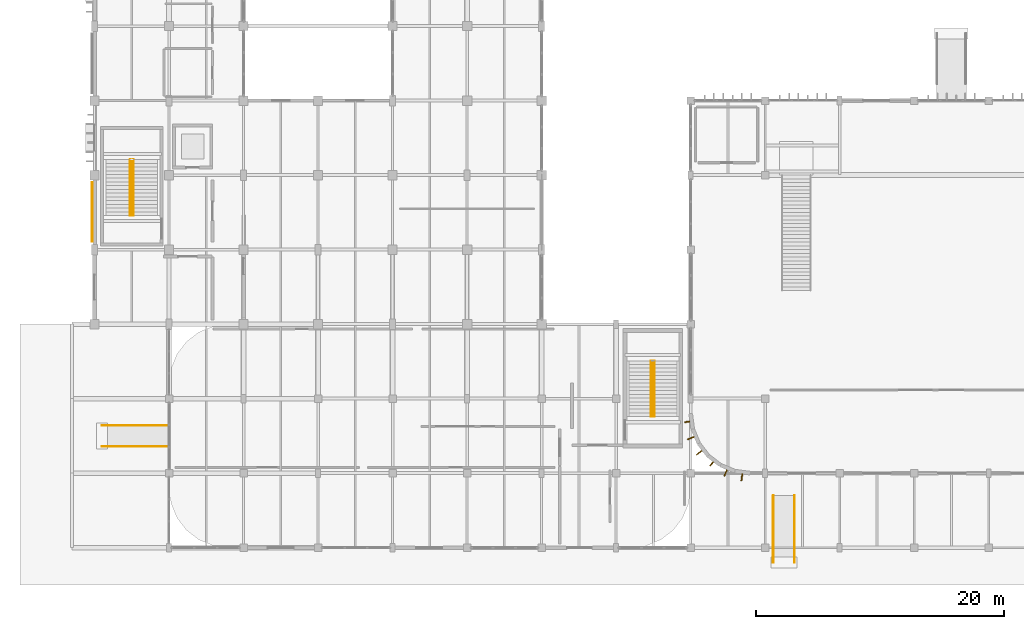
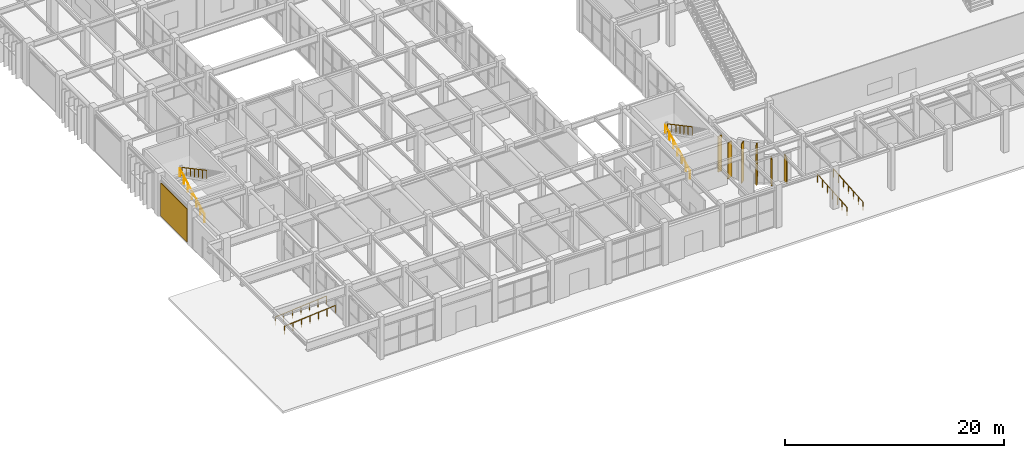
# One storey, part 62 of 76: 8 railings, 6 coverings, 1 shading device.
"""IFC4 building model written with IfcOpenShell, lengths in metres."""

from ifc_helpers import new_model, si_unit, direction, frame, origin, origin_2d, place, context, subcontext, project, spatial, rectangle, circle, extrude, material, layer, layer_set, type_object, element, save


model = new_model("IFC4")

# Units and contexts
model_context = context("Model", 3, precision=1e-05, world=origin(), true_north=direction((0.0, 1.0)))
body_context = subcontext(model_context, "Body", "Model", "MODEL_VIEW")
ifc_project = project(units=[si_unit("LENGTHUNIT", "METRE"), si_unit("AREAUNIT", "SQUARE_METRE"), si_unit("VOLUMEUNIT", "CUBIC_METRE"), si_unit("PLANEANGLEUNIT", "RADIAN"), si_unit("MASSUNIT", "GRAM", prefix="KILO")], contexts=[model_context])

# Site, building, storey
site_placement = place(None, origin())
site = spatial("IfcSite", under=ifc_project, at=site_placement, CompositionType="ELEMENT")
building_placement = place(site_placement, origin())
building = spatial("IfcBuilding", under=site, at=building_placement, Name="Varnakota Square Police Headquarters", CompositionType="ELEMENT")
storey_placement = place(building_placement, origin())
storey = spatial("IfcBuildingStorey", under=building, at=storey_placement, Name="L00", CompositionType="ELEMENT", Elevation=0.0)

# Coverings
ifc_material_1 = material(Name="White Anodised Aluminium Vertical Facade Blade 420", Category="aluminium")
ifc_layer_1 = layer(ifc_material_1, 0.0849609375, Name="White Anodised Aluminium Vertical Facade Blade 420")
ifc_layer_set_1 = layer_set([ifc_layer_1], Name="White Anodised Aluminium Vertical Facade Blade 420")
covering_type_1 = type_object("IfcCoveringType", Name="COV-FIN-420", PredefinedType="CLADDING", material=ifc_layer_set_1)
covering_1_placement = place(storey_placement, frame((53.729736328125, 13.132568359375, 0.0400390625), z_axis=(0.0, 0.0, 1.0), x_axis=(0.13052619222, -0.991444861374, 0.0)))
element("IfcCovering", 1, at=covering_1_placement, inside=storey, type_object=covering_type_1, Name="Vertical aluminium facade fin FIN-0043", PredefinedType="CLADDING", context=body_context, shape_type="SweptSolid", body=[
    extrude(rectangle(XDim=0.0849609375, YDim=0.419921875, at=origin_2d()), origin(), (0.0, 0.0, 1.0), 4.010009765625),
])
covering_2_placement = place(storey_placement, frame((55.686767578125, 9.742919921875, 0.0400390625), z_axis=(0.0, 0.0, 1.0), x_axis=(0.793353340291, -0.608761429009, 0.0)))
element("IfcCovering", 2, at=covering_2_placement, inside=storey, type_object=covering_type_1, Name="Vertical aluminium facade fin FIN-0046", PredefinedType="CLADDING", context=body_context, shape_type="SweptSolid", body=[
    extrude(rectangle(XDim=0.0849609375, YDim=0.419921875, at=origin_2d()), origin(), (0.0, 0.0, 1.0), 4.4150390625),
])
ifc_material_2 = material(Name="White Anodised Aluminium Vertical Facade Blade 550", Category="aluminium")
ifc_layer_2 = layer(ifc_material_2, 0.0849609375, Name="White Anodised Aluminium Vertical Facade Blade 550")
ifc_layer_set_2 = layer_set([ifc_layer_2], Name="White Anodised Aluminium Vertical Facade Blade 550")
covering_type_2 = type_object("IfcCoveringType", Name="COV-FIN-550", PredefinedType="CLADDING", material=ifc_layer_set_2)
covering_3_placement = place(storey_placement, frame((54.015380859375, 11.818115234375, 0.0400390625), z_axis=(0.0, 0.0, 1.0), x_axis=(0.382683432365, -0.923879532511, 0.0)))
element("IfcCovering", 3, at=covering_3_placement, inside=storey, type_object=covering_type_2, Name="Vertical aluminium facade fin FIN-0044", PredefinedType="CLADDING", context=body_context, shape_type="SweptSolid", body=[
    extrude(rectangle(XDim=0.0849609375, YDim=0.550048828125, at=origin_2d()), origin(), (0.0, 0.0, 1.0), 4.010009765625),
])
covering_4_placement = place(storey_placement, frame((54.69140625, 10.647216796875, 0.0400390625), z_axis=(0.0, 0.0, 1.0), x_axis=(0.608761429009, -0.793353340291, 0.0)))
element("IfcCovering", 4, at=covering_4_placement, inside=storey, type_object=covering_type_2, Name="Vertical aluminium facade fin FIN-0045", PredefinedType="CLADDING", context=body_context, shape_type="SweptSolid", body=[
    extrude(rectangle(XDim=0.0849609375, YDim=0.550048828125, at=origin_2d()), origin(), (0.0, 0.0, 1.0), 4.4150390625),
])
for number, where, z_axis, x_axis, name in (
    (5, (56.818115234375, 9.015380859375, 0.0400390625), (0.0, 0.0, 1.0), (0.923879532511, -0.382683432365, 0.0), "Vertical aluminium facade fin FIN-0047"),
    (6, (58.1240234375, 8.665283203125, 0.0400390625), (0.0, 0.0, 1.0), (0.991444861374, -0.13052619222, 0.0), "Vertical aluminium facade fin FIN-0048"),
):
    element("IfcCovering", number, at=place(storey_placement, frame(where, z_axis=z_axis, x_axis=x_axis)), inside=storey, type_object=covering_type_2, Name=name, PredefinedType="CLADDING", context=body_context, shape_type="SweptSolid", body=[
        extrude(rectangle(XDim=0.0849609375, YDim=0.550048828125, at=origin_2d()), origin(), (0.0, 0.0, 1.0), 2.909912109375),
    ])

# Railings
ifc_material_3 = material(Name="Brushed Stainless Steel Tubular Handrail", Category="steel")
railing_type = type_object("IfcRailingType", Name="RL-HND-920", PredefinedType="HANDRAIL", material=ifc_material_3)
railing_1_placement = place(storey_placement, frame((8.8798828125, 29.75, 0.0)))
element("IfcRailing", 7, at=railing_1_placement, inside=storey, type_object=railing_type, Name="Stair flight handrail HR-L00-043", PredefinedType="HANDRAIL", context=body_context, shape_type="SweptSolid", body=[
    extrude(circle(Radius=0.02392578125, at=origin_2d()), frame((0.0, 0.0, 0.89599609375), z_axis=(0.0, 0.882392687573, 0.470513703219), x_axis=(-1.0, 0.0, 0.0)), (0.0, 0.0, 1.0), 5.1005859375),
    extrude(circle(Radius=0.02099609375, at=origin_2d()), origin(), (0.0, 0.0, 1.0), 0.871826171875),
    extrude(circle(Radius=0.02099609375, at=origin_2d()), frame((0.0, 0.75, 0.39990234375)), (0.0, 0.0, 1.0), 0.871826171875),
    extrude(circle(Radius=0.02099609375, at=origin_2d()), frame((0.0, 1.500244140625, 0.800048828125)), (0.0, 0.0, 1.0), 0.871826171875),
    extrude(circle(Radius=0.02099609375, at=origin_2d()), frame((0.0, 2.25048828125, 1.199951171875)), (0.0, 0.0, 1.0), 0.871826171875),
    extrude(circle(Radius=0.02099609375, at=origin_2d()), frame((0.0, 3.00048828125, 1.599853515625)), (0.0, 0.0, 1.0), 0.871826171875),
    extrude(circle(Radius=0.02099609375, at=origin_2d()), frame((0.0, 3.75048828125, 2.0)), (0.0, 0.0, 1.0), 0.871826171875),
    extrude(circle(Radius=0.02099609375, at=origin_2d()), frame((0.0, 4.500732421875, 2.39990234375)), (0.0, 0.0, 1.0), 0.871826171875),
])
railing_2_placement = place(storey_placement, frame((9.1201171875, 34.250732421875, 2.39990234375)))
element("IfcRailing", 8, at=railing_2_placement, inside=storey, type_object=railing_type, Name="Stair flight handrail HR-L00-044", PredefinedType="HANDRAIL", context=body_context, shape_type="SweptSolid", body=[
    extrude(circle(Radius=0.02392578125, at=origin_2d()), frame((0.0, 0.0, 0.89599609375), z_axis=(0.0, -0.882372814714, 0.470550970516), x_axis=(1.0, 0.0, 0.0)), (0.0, 0.0, 1.0), 5.100830078125),
    extrude(circle(Radius=0.02099609375, at=origin_2d()), origin(), (0.0, 0.0, 1.0), 0.871826171875),
    extrude(circle(Radius=0.02099609375, at=origin_2d()), frame((0.0, -0.75, 0.39990234375)), (0.0, 0.0, 1.0), 0.871826171875),
    extrude(circle(Radius=0.02099609375, at=origin_2d()), frame((0.0, -1.500244140625, 0.800048828125)), (0.0, 0.0, 1.0), 0.871826171875),
    extrude(circle(Radius=0.02099609375, at=origin_2d()), frame((0.0, -2.25048828125, 1.2001953125)), (0.0, 0.0, 1.0), 0.871826171875),
    extrude(circle(Radius=0.02099609375, at=origin_2d()), frame((0.0, -3.00048828125, 1.60009765625)), (0.0, 0.0, 1.0), 0.871826171875),
    extrude(circle(Radius=0.02099609375, at=origin_2d()), frame((0.0, -3.75048828125, 2.0)), (0.0, 0.0, 1.0), 0.871826171875),
    extrude(circle(Radius=0.02099609375, at=origin_2d()), frame((0.0, -4.500732421875, 2.400146484375)), (0.0, 0.0, 1.0), 0.871826171875),
])
railing_3_placement = place(storey_placement, frame((50.830078125, 13.550048828125, 0.0)))
element("IfcRailing", 9, at=railing_3_placement, inside=storey, type_object=railing_type, Name="Stair flight handrail HR-L00-097", PredefinedType="HANDRAIL", context=body_context, shape_type="SweptSolid", body=[
    extrude(circle(Radius=0.02392578125, at=origin_2d()), frame((0.0, 0.0, 0.89599609375), z_axis=(0.0, 0.882392687573, 0.470513703219), x_axis=(-1.0, 0.0, 0.0)), (0.0, 0.0, 1.0), 5.1005859375),
    extrude(circle(Radius=0.02099609375, at=origin_2d()), origin(), (0.0, 0.0, 1.0), 0.871826171875),
    extrude(circle(Radius=0.02099609375, at=origin_2d()), frame((0.0, 0.75, 0.39990234375)), (0.0, 0.0, 1.0), 0.871826171875),
    extrude(circle(Radius=0.02099609375, at=origin_2d()), frame((0.0, 1.500244140625, 0.800048828125)), (0.0, 0.0, 1.0), 0.871826171875),
    extrude(circle(Radius=0.02099609375, at=origin_2d()), frame((0.0, 2.25048828125, 1.199951171875)), (0.0, 0.0, 1.0), 0.871826171875),
    extrude(circle(Radius=0.02099609375, at=origin_2d()), frame((0.0, 3.00048828125, 1.599853515625)), (0.0, 0.0, 1.0), 0.871826171875),
    extrude(circle(Radius=0.02099609375, at=origin_2d()), frame((0.0, 3.75048828125, 2.0)), (0.0, 0.0, 1.0), 0.871826171875),
    extrude(circle(Radius=0.02099609375, at=origin_2d()), frame((0.0, 4.500732421875, 2.39990234375)), (0.0, 0.0, 1.0), 0.871826171875),
])
railing_4_placement = place(storey_placement, frame((51.070068359375, 18.05078125, 2.39990234375)))
element("IfcRailing", 10, at=railing_4_placement, inside=storey, type_object=railing_type, Name="Stair flight handrail HR-L00-098", PredefinedType="HANDRAIL", context=body_context, shape_type="SweptSolid", body=[
    extrude(circle(Radius=0.02392578125, at=origin_2d()), frame((0.0, 0.0, 0.89599609375), z_axis=(0.0, -0.882372814714, 0.470550970516), x_axis=(1.0, 0.0, 0.0)), (0.0, 0.0, 1.0), 5.100830078125),
    extrude(circle(Radius=0.02099609375, at=origin_2d()), origin(), (0.0, 0.0, 1.0), 0.871826171875),
    extrude(circle(Radius=0.02099609375, at=origin_2d()), frame((0.0, -0.75, 0.39990234375)), (0.0, 0.0, 1.0), 0.871826171875),
    extrude(circle(Radius=0.02099609375, at=origin_2d()), frame((0.0, -1.500244140625, 0.800048828125)), (0.0, 0.0, 1.0), 0.871826171875),
    extrude(circle(Radius=0.02099609375, at=origin_2d()), frame((0.0, -2.25048828125, 1.2001953125)), (0.0, 0.0, 1.0), 0.871826171875),
    extrude(circle(Radius=0.02099609375, at=origin_2d()), frame((0.0, -3.00048828125, 1.60009765625)), (0.0, 0.0, 1.0), 0.871826171875),
    extrude(circle(Radius=0.02099609375, at=origin_2d()), frame((0.0, -3.75048828125, 2.0)), (0.0, 0.0, 1.0), 0.871826171875),
    extrude(circle(Radius=0.02099609375, at=origin_2d()), frame((0.0, -4.500732421875, 2.400146484375)), (0.0, 0.0, 1.0), 0.871826171875),
])
for number, where, name in (
    (11, (60.64990234375, 1.800048828125, -0.449951171875), "Accessible ramp handrail RMP-A1-L"),
    (12, (62.35009765625, 1.800048828125, -0.449951171875), "Accessible ramp handrail RMP-A1-R"),
):
    element("IfcRailing", number, at=place(storey_placement, frame(where)), inside=storey, type_object=railing_type, Name=name, PredefinedType="HANDRAIL", context=body_context, shape_type="SweptSolid", body=[
        extrude(circle(Radius=0.02392578125, at=origin_2d()), frame((0.0, 0.0, 0.89599609375), z_axis=(0.0, 0.996546379678, 0.083038022323), x_axis=(-1.0, 0.0, 0.0)), (0.0, 0.0, 1.0), 5.418701171875),
        extrude(circle(Radius=0.02099609375, at=origin_2d()), origin(), (0.0, 0.0, 1.0), 0.871826171875),
        extrude(circle(Radius=0.02099609375, at=origin_2d()), frame((0.0, 0.89990234375, 0.074951171875)), (0.0, 0.0, 1.0), 0.871826171875),
        extrude(circle(Radius=0.02099609375, at=origin_2d()), frame((0.0, 1.800048828125, 0.14990234375)), (0.0, 0.0, 1.0), 0.871826171875),
        extrude(circle(Radius=0.02099609375, at=origin_2d()), frame((0.0, 2.699951171875, 0.22509765625)), (0.0, 0.0, 1.0), 0.871826171875),
        extrude(circle(Radius=0.02099609375, at=origin_2d()), frame((0.0, 3.599853515625, 0.300048828125)), (0.0, 0.0, 1.0), 0.871826171875),
        extrude(circle(Radius=0.02099609375, at=origin_2d()), frame((0.0, 4.5, 0.375)), (0.0, 0.0, 1.0), 0.871826171875),
        extrude(circle(Radius=0.02099609375, at=origin_2d()), frame((0.0, 5.39990234375, 0.449951171875)), (0.0, 0.0, 1.0), 0.871826171875),
    ])
for number, where, name in (
    (13, (6.60009765625, 12.85009765625, -0.449951171875), "Accessible ramp handrail RMP-A3-L"),
    (14, (6.60009765625, 11.14990234375, -0.449951171875), "Accessible ramp handrail RMP-A3-R"),
):
    element("IfcRailing", number, at=place(storey_placement, frame(where)), inside=storey, type_object=railing_type, Name=name, PredefinedType="HANDRAIL", context=body_context, shape_type="SweptSolid", body=[
        extrude(circle(Radius=0.02392578125, at=origin_2d()), frame((0.0, 0.0, 0.89599609375), z_axis=(0.996546379678, 0.0, 0.083038022323), x_axis=(0.0, 1.0, 0.0)), (0.0, 0.0, 1.0), 5.418701171875),
        extrude(circle(Radius=0.02099609375, at=origin_2d()), origin(), (0.0, 0.0, 1.0), 0.871826171875),
        extrude(circle(Radius=0.02099609375, at=origin_2d()), frame((0.89990234375, 0.0, 0.074951171875)), (0.0, 0.0, 1.0), 0.871826171875),
        extrude(circle(Radius=0.02099609375, at=origin_2d()), frame((1.800048828125, 0.0, 0.14990234375)), (0.0, 0.0, 1.0), 0.871826171875),
        extrude(circle(Radius=0.02099609375, at=origin_2d()), frame((2.699951171875, 0.0, 0.22509765625)), (0.0, 0.0, 1.0), 0.871826171875),
        extrude(circle(Radius=0.02099609375, at=origin_2d()), frame((3.599853515625, 0.0, 0.300048828125)), (0.0, 0.0, 1.0), 0.871826171875),
        extrude(circle(Radius=0.02099609375, at=origin_2d()), frame((4.5, 0.0, 0.375)), (0.0, 0.0, 1.0), 0.871826171875),
        extrude(circle(Radius=0.02099609375, at=origin_2d()), frame((5.39990234375, 0.0, 0.449951171875)), (0.0, 0.0, 1.0), 0.871826171875),
    ])

# Shading device
ifc_material_4 = material(Name="Perforated Sandstone-Toned GRC Jali Screen", Category="masonry")
ifc_layer_3 = layer(ifc_material_4, 0.080078125, Name="Perforated Sandstone-Toned GRC Jali Screen")
ifc_layer_set_3 = layer_set([ifc_layer_3], Name="Perforated Sandstone-Toned GRC Jali Screen")
shading_device_type = type_object("IfcShadingDeviceType", Name="SHD-SCR-GRC", PredefinedType="USERDEFINED", material=ifc_layer_set_3)
shading_device_placement = place(storey_placement, frame((5.822021484375, 30.02490234375, 0.150146484375), z_axis=(0.0, 0.0, 1.0), x_axis=(0.0, 1.0, 0.0)))
element("IfcShadingDevice", 15, at=shading_device_placement, inside=storey, type_object=shading_device_type, Name="Perforated GRC solar screen SCR-001", ObjectType="SOLAR SCREEN", PredefinedType="USERDEFINED", context=body_context, shape_type="SweptSolid", body=[
    extrude(rectangle(XDim=4.7919921875, YDim=0.080078125, at=origin_2d()), origin(), (0.0, 0.0, 1.0), 3.68994140625),
])

save(model, "model.ifc")
